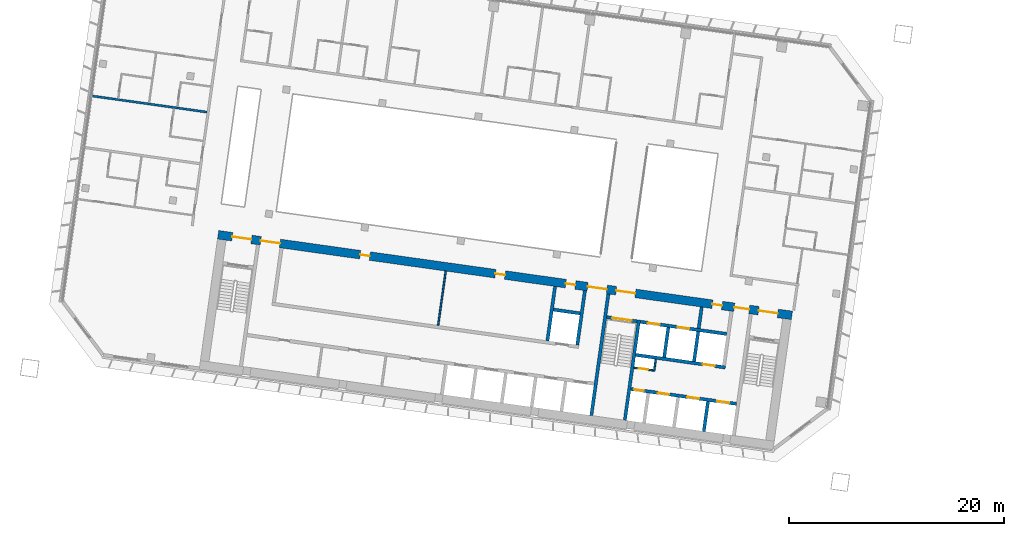
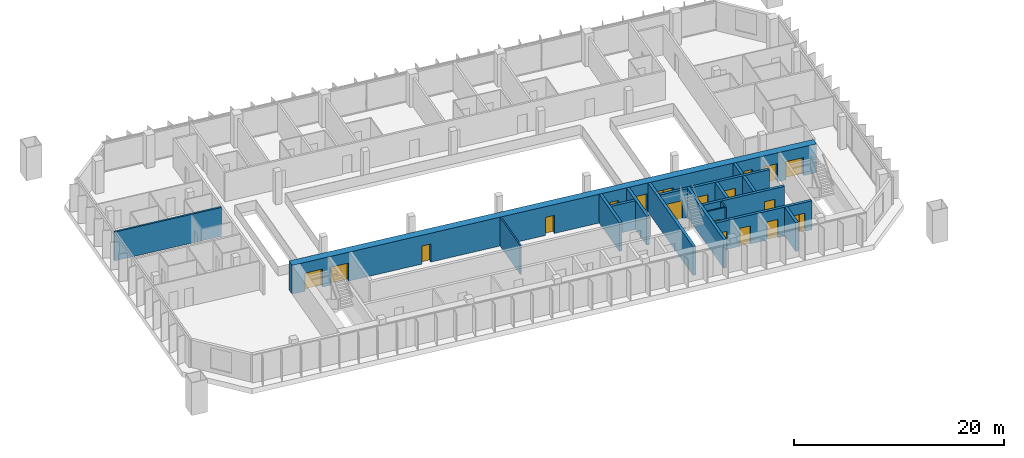
# One storey, part 15 of 26: 19 doors, 18 walls, 19 openings.
"""IFC4 building model written with IfcOpenShell, lengths in metres."""

from ifc_helpers import new_model, si_unit, direction, frame, frame_2d, origin, place, context, subcontext, project, spatial, rectangle, extrude, material, layer, layer_set, type_object, element, fill, save


model = new_model("IFC4")

# Units and contexts
model_context = context("Model", 3, precision=1e-05, world=origin(), true_north=direction((0.0, 1.0)))
body_context = subcontext(model_context, "Body", "Model", "MODEL_VIEW")
ifc_project = project(units=[si_unit("LENGTHUNIT", "METRE"), si_unit("AREAUNIT", "SQUARE_METRE"), si_unit("VOLUMEUNIT", "CUBIC_METRE"), si_unit("PLANEANGLEUNIT", "RADIAN"), si_unit("MASSUNIT", "GRAM", prefix="KILO")], contexts=[model_context])

# Site, building, storey
site_placement = place(None, origin())
site = spatial("IfcSite", under=ifc_project, at=site_placement, CompositionType="ELEMENT")
building_placement = place(site_placement, origin())
building = spatial("IfcBuilding", under=site, at=building_placement, Name="Mirante Cascada Hotel Towers", CompositionType="ELEMENT")
storey_placement = place(building_placement, frame((0.0, 0.0, 113.9)))
storey = spatial("IfcBuildingStorey", under=building, at=storey_placement, Name="L25", CompositionType="ELEMENT", Elevation=113.9)

# Walls
ifc_material_1 = material(Name="Fire-rated plasterboard on metal studs")
ifc_layer_1 = layer(ifc_material_1, 0.2)
ifc_layer_set_1 = layer_set([ifc_layer_1], Name="Compartment wall 200 EI 120")
wall_type_1 = type_object("IfcWallType", Name="Compartment wall 200 EI 120", PredefinedType="PARTITIONING", material=ifc_layer_set_1)
wall_1_placement = place(storey_placement, frame((-89.7337, 11.2758, 0.0), z_axis=(0.0, 0.0, 1.0), x_axis=(-0.990268, 0.1391733, 0.0)))
element("IfcWall", 1, at=wall_1_placement, inside=storey, type_object=wall_type_1, Name="Wall 1-L25-10", PredefinedType="PARTITIONING", context=body_context, shape_type="SweptSolid", body=[
    extrude(rectangle(XDim=11.0, YDim=0.2, at=frame_2d((5.5, 0.0))), origin(), (0.0, 0.0, 1.0), 3.35),
])
ifc_material_2 = material(Name="Masonry block", Category="masonry")
ifc_layer_2 = layer(ifc_material_2, 0.15)
ifc_layer_set_2 = layer_set([ifc_layer_2], Name="Core room partition 150 block EI 30")
wall_type_2 = type_object("IfcWallType", Name="Core room partition 150 block EI 30", PredefinedType="PARTITIONING", material=ifc_layer_set_2)
wall_2_placement = place(storey_placement, frame((-48.2295, -12.793, 0.0), z_axis=(0.0, 0.0, 1.0), x_axis=(0.1391935, 0.9902652, 0.0)))
element("IfcWall", 2, at=wall_2_placement, inside=storey, type_object=wall_type_2, Name="Core wall partition T1 L25 2", PredefinedType="PARTITIONING", context=body_context, shape_type="SweptSolid", body=[
    extrude(rectangle(XDim=1.1251, YDim=0.15, at=frame_2d((0.5626, 0.0))), origin(), (0.0, 0.0, 1.0), 3.35),
])

# Wall, opening, door
wall_3_placement = place(storey_placement, frame((-48.2933, -12.7083, 0.0), z_axis=(0.0, 0.0, 1.0), x_axis=(-0.990268, 0.1391734, 0.0)))
wall_3 = element("IfcWall", 3, at=wall_3_placement, inside=storey, type_object=wall_type_2, Name="Core wall partition T1 L25 3", PredefinedType="PARTITIONING", context=body_context, shape_type="SweptSolid", body=[
    extrude(rectangle(XDim=1.8251, YDim=0.15, at=frame_2d((0.9126, 0.0))), origin(), (0.0, 0.0, 1.0), 3.35),
])
opening_1_placement = place(wall_3_placement, frame((0.4625, 0.0, 0.0)))
opening_1 = element("IfcOpeningElement", 4, at=opening_1_placement, cuts=wall_3, Name="Opening D1-25-C23", PredefinedType="OPENING", context=body_context, shape_type="SweptSolid", body=[
    extrude(rectangle(XDim=0.9, YDim=2.1, at=frame_2d((0.45, 1.05))), frame((0.0, 0.075, 0.0), z_axis=(0.0, -1.0, 0.0), x_axis=(1.0, 0.0, 0.0)), (0.0, 0.0, 1.0), 0.15),
])
ifc_material_3 = material(Name="Hollow metal fire door leaf")
door_type_1 = type_object("IfcDoorType", Name="Fire door 900x2100 FD60", OperationType="NOTDEFINED", PredefinedType="DOOR", material=ifc_material_3)
door_1_placement = place(opening_1_placement, origin())
door_1 = element("IfcDoor", 5, at=door_1_placement, inside=storey, type_object=door_type_1, Name="Riser door T1 L25 23", OperationType="SINGLE_SWING_LEFT", OverallHeight=2.1, OverallWidth=0.9, PredefinedType="DOOR", context=body_context, shape_type="SweptSolid", body=[
    extrude(rectangle(XDim=0.9, YDim=2.1, at=frame_2d((0.45, 1.05))), frame((0.0, 0.025, 0.0), z_axis=(0.0, -1.0, 0.0), x_axis=(1.0, 0.0, 0.0)), (0.0, 0.0, 1.0), 0.05),
])
fill(opening_1, door_1)

# Walls
wall_4_placement = place(storey_placement, frame((-68.2822, -8.5358, 0.0), z_axis=(0.0, 0.0, 1.0), x_axis=(0.1391755, 0.9902677, 0.0)))
element("IfcWall", 6, at=wall_4_placement, inside=storey, type_object=wall_type_2, Name="Core wall partition T1 L25 6", PredefinedType="PARTITIONING", context=body_context, shape_type="SweptSolid", body=[
    extrude(rectangle(XDim=5.1, YDim=0.15, at=frame_2d((2.55, 0.0))), origin(), (0.0, 0.0, 1.0), 3.35),
])
ifc_material_4 = material(Name="Masonry block", Category="masonry")
ifc_layer_3 = layer(ifc_material_4, 0.3)
ifc_layer_set_3 = layer_set([ifc_layer_3], Name="Core wall 300 block EI 120")
wall_type_3 = type_object("IfcWallType", Name="Core wall 300 block EI 120", PredefinedType="PARTITIONING", material=ifc_layer_set_3)
wall_5_placement = place(storey_placement, frame((-44.0843, -8.8061, 0.0), z_axis=(0.0, 0.0, 1.0), x_axis=(0.1391951, 0.990265, 0.0)))
element("IfcWall", 7, at=wall_5_placement, inside=storey, type_object=wall_type_3, Name="Core wall partition T1 L25 1", PredefinedType="PARTITIONING", context=body_context, shape_type="SweptSolid", body=[
    extrude(rectangle(XDim=2.0001, YDim=0.3, at=frame_2d((1.0001, 0.0))), origin(), (0.0, 0.0, 1.0), 3.35),
])
ifc_material_5 = material(Name="Concrete C50/60", Category="concrete")
ifc_layer_4 = layer(ifc_material_5, 0.3)
ifc_layer_set_4 = layer_set([ifc_layer_4], Name="RC core wall 300 C50/60")
wall_type_4 = type_object("IfcWallType", Name="RC core wall 300 C50/60", PredefinedType="SHEAR", material=ifc_layer_set_4)
wall_6_placement = place(storey_placement, frame((-50.938, -17.3352, 0.0), z_axis=(0.0, 0.0, 1.0), x_axis=(0.1391706, 0.9902684, 0.0)))
element("IfcWall", 8, at=wall_6_placement, inside=storey, type_object=wall_type_4, Name="Core wall T1:L25:6", PredefinedType="SHEAR", context=body_context, shape_type="SweptSolid", body=[
    extrude(rectangle(XDim=9.4, YDim=0.3, at=frame_2d((4.7, 0.0))), origin(), (0.0, 0.0, 1.0), 3.35),
])
wall_7_placement = place(storey_placement, frame((-54.0574, -16.8968, 0.0), z_axis=(0.0, 0.0, 1.0), x_axis=(0.1391761, 0.9902677, 0.0)))
element("IfcWall", 9, at=wall_7_placement, inside=storey, type_object=wall_type_4, Name="Core wall T1:L25:7", PredefinedType="SHEAR", context=body_context, shape_type="SweptSolid", body=[
    extrude(rectangle(XDim=11.3999, YDim=0.3, at=frame_2d((5.7, 0.0))), origin(), (0.0, 0.0, 1.0), 3.35),
])

# Wall, opening, door
wall_8_placement = place(storey_placement, frame((-49.7992, -8.1544, 0.0), z_axis=(0.0, 0.0, 1.0), x_axis=(-0.9902656, 0.1391909, 0.0)))
wall_8 = element("IfcWall", 10, at=wall_8_placement, inside=storey, type_object=wall_type_4, Name="Core wall T1:L25:10", PredefinedType="SHEAR", context=body_context, shape_type="SweptSolid", body=[
    extrude(rectangle(XDim=2.85, YDim=0.3, at=frame_2d((1.425, 0.0))), origin(), (0.0, 0.0, 1.0), 3.35),
])
opening_2_placement = place(wall_8_placement, frame((0.525, 0.0, 0.0)))
opening_2 = element("IfcOpeningElement", 11, at=opening_2_placement, cuts=wall_8, Name="Opening D1-25-C15", PredefinedType="OPENING", context=body_context, shape_type="SweptSolid", body=[
    extrude(rectangle(XDim=1.8, YDim=2.1, at=frame_2d((0.9, 1.05))), frame((0.0, 0.15, 0.0), z_axis=(0.0, -1.0, 0.0), x_axis=(1.0, 0.0, 0.0)), (0.0, 0.0, 1.0), 0.3),
])
ifc_material_6 = material(Name="Hollow metal fire door leaf")
door_type_2 = type_object("IfcDoorType", Name="Double fire door 1800x2100 FD60", OperationType="DOUBLE_DOOR_SINGLE_SWING", PredefinedType="DOOR", material=ifc_material_6)
door_2_placement = place(opening_2_placement, origin())
door_2 = element("IfcDoor", 12, at=door_2_placement, inside=storey, type_object=door_type_2, Name="Stair door T1 L25 15", OperationType="DOUBLE_DOOR_SINGLE_SWING", OverallHeight=2.1, OverallWidth=1.8, PredefinedType="DOOR", context=body_context, shape_type="SweptSolid", body=[
    extrude(rectangle(XDim=0.895, YDim=2.1, at=frame_2d((0.4475, 1.05))), frame((0.0, 0.025, 0.0), z_axis=(0.0, -1.0, 0.0), x_axis=(1.0, 0.0, 0.0)), (0.0, 0.0, 1.0), 0.05),
    extrude(rectangle(XDim=0.895, YDim=2.1, at=frame_2d((1.3525, 1.05))), frame((0.0, 0.025, 0.0), z_axis=(0.0, -1.0, 0.0), x_axis=(1.0, 0.0, 0.0)), (0.0, 0.0, 1.0), 0.05),
])
fill(opening_2, door_2)

# Wall, openings, doors
wall_9_placement = place(storey_placement, frame((-40.5753, -15.8126, 0.0), z_axis=(0.0, 0.0, 1.0), x_axis=(-0.9902682, 0.1391725, 0.0)))
wall_9 = element("IfcWall", 13, at=wall_9_placement, inside=storey, type_object=wall_type_4, Name="Core wall T1:L25:12", PredefinedType="SHEAR", context=body_context, shape_type="SweptSolid", body=[
    extrude(rectangle(XDim=9.8999, YDim=0.3, at=frame_2d((4.95, 0.0))), origin(), (0.0, 0.0, 1.0), 3.35),
])
opening_3_placement = place(wall_9_placement, frame((0.7, 0.0, 0.0)))
opening_3 = element("IfcOpeningElement", 14, at=opening_3_placement, cuts=wall_9, Name="Opening LD", PredefinedType="OPENING", context=body_context, shape_type="SweptSolid", body=[
    extrude(rectangle(XDim=1.1, YDim=2.1, at=frame_2d((0.55, 1.05))), frame((0.0, 0.15, 0.0), z_axis=(0.0, -1.0, 0.0), x_axis=(1.0, 0.0, 0.0)), (0.0, 0.0, 1.0), 0.3),
])
opening_4_placement = place(wall_9_placement, frame((3.5, 0.0, 0.0)))
opening_4 = element("IfcOpeningElement", 15, at=opening_4_placement, cuts=wall_9, Name="Opening LD", PredefinedType="OPENING", context=body_context, shape_type="SweptSolid", body=[
    extrude(rectangle(XDim=1.1, YDim=2.1, at=frame_2d((0.55, 1.05))), frame((0.0, 0.15, 0.0), z_axis=(0.0, -1.0, 0.0), x_axis=(1.0, 0.0, 0.0)), (0.0, 0.0, 1.0), 0.3),
])
opening_5_placement = place(wall_9_placement, frame((6.3, 0.0, 0.0)))
opening_5 = element("IfcOpeningElement", 16, at=opening_5_placement, cuts=wall_9, Name="Opening LD", PredefinedType="OPENING", context=body_context, shape_type="SweptSolid", body=[
    extrude(rectangle(XDim=1.1, YDim=2.1, at=frame_2d((0.55, 1.05))), frame((0.0, 0.15, 0.0), z_axis=(0.0, -1.0, 0.0), x_axis=(1.0, 0.0, 0.0)), (0.0, 0.0, 1.0), 0.3),
])
opening_6_placement = place(wall_9_placement, frame((8.7, 0.0, 0.0)))
opening_6 = element("IfcOpeningElement", 17, at=opening_6_placement, cuts=wall_9, Name="Opening D1-25-C22", PredefinedType="OPENING", context=body_context, shape_type="SweptSolid", body=[
    extrude(rectangle(XDim=0.9, YDim=2.1, at=frame_2d((0.45, 1.05))), frame((0.0, 0.15, 0.0), z_axis=(0.0, -1.0, 0.0), x_axis=(1.0, 0.0, 0.0)), (0.0, 0.0, 1.0), 0.3),
])
door_3_placement = place(opening_6_placement, origin())
door_3 = element("IfcDoor", 18, at=door_3_placement, inside=storey, type_object=door_type_1, Name="Riser door T1 L25 22", OperationType="SINGLE_SWING_LEFT", OverallHeight=2.1, OverallWidth=0.9, PredefinedType="DOOR", context=body_context, shape_type="SweptSolid", body=[
    extrude(rectangle(XDim=0.9, YDim=2.1, at=frame_2d((0.45, 1.05))), frame((0.0, 0.025, 0.0), z_axis=(0.0, -1.0, 0.0), x_axis=(1.0, 0.0, 0.0)), (0.0, 0.0, 1.0), 0.05),
])
fill(opening_6, door_3)
ifc_material_7 = material(Name="Stainless steel", Category="steel")
door_type_3 = type_object("IfcDoorType", Name="Lift landing door 1100x2100 EI 120", OperationType="DOUBLE_DOOR_SLIDING", PredefinedType="DOOR", material=ifc_material_7)
door_4_placement = place(opening_3_placement, origin())
door_4 = element("IfcDoor", 19, at=door_4_placement, inside=storey, type_object=door_type_3, Name="Lift landing door HR1-1 L25", OperationType="DOUBLE_DOOR_SLIDING", OverallHeight=2.1, OverallWidth=1.1, PredefinedType="DOOR", context=body_context, shape_type="SweptSolid", body=[
    extrude(rectangle(XDim=0.545, YDim=2.1, at=frame_2d((0.2725, 1.05))), frame((0.0, 0.025, 0.0), z_axis=(0.0, -1.0, 0.0), x_axis=(1.0, 0.0, 0.0)), (0.0, 0.0, 1.0), 0.05),
    extrude(rectangle(XDim=0.545, YDim=2.1, at=frame_2d((0.8275, 1.05))), frame((0.0, 0.025, 0.0), z_axis=(0.0, -1.0, 0.0), x_axis=(1.0, 0.0, 0.0)), (0.0, 0.0, 1.0), 0.05),
])
fill(opening_3, door_4)
door_5_placement = place(opening_4_placement, origin())
door_5 = element("IfcDoor", 20, at=door_5_placement, inside=storey, type_object=door_type_3, Name="Lift landing door HR1-2 L25", OperationType="DOUBLE_DOOR_SLIDING", OverallHeight=2.1, OverallWidth=1.1, PredefinedType="DOOR", context=body_context, shape_type="SweptSolid", body=[
    extrude(rectangle(XDim=0.545, YDim=2.1, at=frame_2d((0.2725, 1.05))), frame((0.0, 0.025, 0.0), z_axis=(0.0, -1.0, 0.0), x_axis=(1.0, 0.0, 0.0)), (0.0, 0.0, 1.0), 0.05),
    extrude(rectangle(XDim=0.545, YDim=2.1, at=frame_2d((0.8275, 1.05))), frame((0.0, 0.025, 0.0), z_axis=(0.0, -1.0, 0.0), x_axis=(1.0, 0.0, 0.0)), (0.0, 0.0, 1.0), 0.05),
])
fill(opening_4, door_5)
door_6_placement = place(opening_5_placement, origin())
door_6 = element("IfcDoor", 21, at=door_6_placement, inside=storey, type_object=door_type_3, Name="Lift landing door HR1-3 L25", OperationType="DOUBLE_DOOR_SLIDING", OverallHeight=2.1, OverallWidth=1.1, PredefinedType="DOOR", context=body_context, shape_type="SweptSolid", body=[
    extrude(rectangle(XDim=0.545, YDim=2.1, at=frame_2d((0.2725, 1.05))), frame((0.0, 0.025, 0.0), z_axis=(0.0, -1.0, 0.0), x_axis=(1.0, 0.0, 0.0)), (0.0, 0.0, 1.0), 0.05),
    extrude(rectangle(XDim=0.545, YDim=2.1, at=frame_2d((0.8275, 1.05))), frame((0.0, 0.025, 0.0), z_axis=(0.0, -1.0, 0.0), x_axis=(1.0, 0.0, 0.0)), (0.0, 0.0, 1.0), 0.05),
])
fill(opening_5, door_6)

# Wall, opening, door
wall_10_placement = place(storey_placement, frame((-41.6153, -12.435, 0.0), z_axis=(0.0, 0.0, 1.0), x_axis=(-0.9902691, 0.139166, 0.0)))
wall_10 = element("IfcWall", 22, at=wall_10_placement, inside=storey, type_object=wall_type_4, Name="Core wall T1:L25:13", PredefinedType="SHEAR", context=body_context, shape_type="SweptSolid", body=[
    extrude(rectangle(XDim=8.4, YDim=0.3, at=frame_2d((4.2, 0.0))), origin(), (0.0, 0.0, 1.0), 3.35),
])
opening_7_placement = place(wall_10_placement, frame((1.0, 0.0, 0.0)))
opening_7 = element("IfcOpeningElement", 23, at=opening_7_placement, cuts=wall_10, Name="Opening LD", PredefinedType="OPENING", context=body_context, shape_type="SweptSolid", body=[
    extrude(rectangle(XDim=1.1, YDim=2.1, at=frame_2d((0.55, 1.05))), frame((0.0, 0.15, 0.0), z_axis=(0.0, -1.0, 0.0), x_axis=(1.0, 0.0, 0.0)), (0.0, 0.0, 1.0), 0.3),
])
door_7_placement = place(opening_7_placement, origin())
door_7 = element("IfcDoor", 24, at=door_7_placement, inside=storey, type_object=door_type_3, Name="Lift landing door HR1-4 L25", OperationType="DOUBLE_DOOR_SLIDING", OverallHeight=2.1, OverallWidth=1.1, PredefinedType="DOOR", context=body_context, shape_type="SweptSolid", body=[
    extrude(rectangle(XDim=0.545, YDim=2.1, at=frame_2d((0.2725, 1.05))), frame((0.0, 0.025, 0.0), z_axis=(0.0, -1.0, 0.0), x_axis=(1.0, 0.0, 0.0)), (0.0, 0.0, 1.0), 0.05),
    extrude(rectangle(XDim=0.545, YDim=2.1, at=frame_2d((0.8275, 1.05))), frame((0.0, 0.025, 0.0), z_axis=(0.0, -1.0, 0.0), x_axis=(1.0, 0.0, 0.0)), (0.0, 0.0, 1.0), 0.05),
])
fill(opening_7, door_7)

# Wall, openings, doors
wall_11_placement = place(storey_placement, frame((-41.481, -9.3234, 0.0), z_axis=(0.0, 0.0, 1.0), x_axis=(-0.9902679, 0.1391741, 0.0)))
wall_11 = element("IfcWall", 25, at=wall_11_placement, inside=storey, type_object=wall_type_4, Name="Core wall T1:L25:14", PredefinedType="SHEAR", context=body_context, shape_type="SweptSolid", body=[
    extrude(rectangle(XDim=8.0999, YDim=0.3, at=frame_2d((4.05, 0.0))), origin(), (0.0, 0.0, 1.0), 3.35),
])
opening_8_placement = place(wall_11_placement, frame((3.5, 0.0, 0.0)))
opening_8 = element("IfcOpeningElement", 26, at=opening_8_placement, cuts=wall_11, Name="Opening LD", PredefinedType="OPENING", context=body_context, shape_type="SweptSolid", body=[
    extrude(rectangle(XDim=1.1, YDim=2.1, at=frame_2d((0.55, 1.05))), frame((0.0, 0.15, 0.0), z_axis=(0.0, -1.0, 0.0), x_axis=(1.0, 0.0, 0.0)), (0.0, 0.0, 1.0), 0.3),
])
opening_9_placement = place(wall_11_placement, frame((6.3, 0.0, 0.0)))
opening_9 = element("IfcOpeningElement", 27, at=opening_9_placement, cuts=wall_11, Name="Opening LD", PredefinedType="OPENING", context=body_context, shape_type="SweptSolid", body=[
    extrude(rectangle(XDim=1.1, YDim=2.1, at=frame_2d((0.55, 1.05))), frame((0.0, 0.15, 0.0), z_axis=(0.0, -1.0, 0.0), x_axis=(1.0, 0.0, 0.0)), (0.0, 0.0, 1.0), 0.3),
])
door_8_placement = place(opening_8_placement, origin())
door_8 = element("IfcDoor", 28, at=door_8_placement, inside=storey, type_object=door_type_3, Name="Lift landing door FF1 L25", OperationType="DOUBLE_DOOR_SLIDING", OverallHeight=2.1, OverallWidth=1.1, PredefinedType="DOOR", context=body_context, shape_type="SweptSolid", body=[
    extrude(rectangle(XDim=0.545, YDim=2.1, at=frame_2d((0.2725, 1.05))), frame((0.0, 0.025, 0.0), z_axis=(0.0, -1.0, 0.0), x_axis=(1.0, 0.0, 0.0)), (0.0, 0.0, 1.0), 0.05),
    extrude(rectangle(XDim=0.545, YDim=2.1, at=frame_2d((0.8275, 1.05))), frame((0.0, 0.025, 0.0), z_axis=(0.0, -1.0, 0.0), x_axis=(1.0, 0.0, 0.0)), (0.0, 0.0, 1.0), 0.05),
])
fill(opening_8, door_8)
door_9_placement = place(opening_9_placement, origin())
door_9 = element("IfcDoor", 29, at=door_9_placement, inside=storey, type_object=door_type_3, Name="Lift landing door FF2 L25", OperationType="DOUBLE_DOOR_SLIDING", OverallHeight=2.1, OverallWidth=1.1, PredefinedType="DOOR", context=body_context, shape_type="SweptSolid", body=[
    extrude(rectangle(XDim=0.545, YDim=2.1, at=frame_2d((0.2725, 1.05))), frame((0.0, 0.025, 0.0), z_axis=(0.0, -1.0, 0.0), x_axis=(1.0, 0.0, 0.0)), (0.0, 0.0, 1.0), 0.05),
    extrude(rectangle(XDim=0.545, YDim=2.1, at=frame_2d((0.8275, 1.05))), frame((0.0, 0.025, 0.0), z_axis=(0.0, -1.0, 0.0), x_axis=(1.0, 0.0, 0.0)), (0.0, 0.0, 1.0), 0.05),
])
fill(opening_9, door_9)

# Walls
wall_12_placement = place(storey_placement, frame((-43.61, -18.3651, 0.0), z_axis=(0.0, 0.0, 1.0), x_axis=(0.1391459, 0.9902719, 0.0)))
element("IfcWall", 30, at=wall_12_placement, inside=storey, type_object=wall_type_4, Name="Core wall T1:L25:15", PredefinedType="SHEAR", context=body_context, shape_type="SweptSolid", body=[
    extrude(rectangle(XDim=2.7999, YDim=0.3, at=frame_2d((1.4, 0.0))), origin(), (0.0, 0.0, 1.0), 3.35),
])
for number, where, z_axis, x_axis, name in (
    (31, (-44.5157, -11.8759, 0.0), (0.0, 0.0, 1.0), (0.139181, 0.990267, 0.0), "Core wall T1:L25:18"),
    (32, (-47.2885, -11.4862, 0.0), (0.0, 0.0, 1.0), (0.139181, 0.990267, 0.0), "Core wall T1:L25:19"),
):
    element("IfcWall", number, at=place(storey_placement, frame(where, z_axis=z_axis, x_axis=x_axis)), inside=storey, type_object=wall_type_4, Name=name, PredefinedType="SHEAR", context=body_context, shape_type="SweptSolid", body=[
        extrude(rectangle(XDim=2.8, YDim=0.3, at=frame_2d((1.4, 0.0))), origin(), (0.0, 0.0, 1.0), 3.35),
    ])
for number, where, z_axis, x_axis, name in (
    (33, (-55.3592, -10.352, 0.0), (0.0, 0.0, 1.0), (0.1391755, 0.9902677, 0.0), "Core wall T1:L25:33"),
    (34, (-58.1319, -9.9623, 0.0), (0.0, 0.0, 1.0), (0.1391755, 0.9902677, 0.0), "Core wall T1:L25:35"),
):
    element("IfcWall", number, at=place(storey_placement, frame(where, z_axis=z_axis, x_axis=x_axis)), inside=storey, type_object=wall_type_4, Name=name, PredefinedType="SHEAR", context=body_context, shape_type="SweptSolid", body=[
        extrude(rectangle(XDim=5.1, YDim=0.3, at=frame_2d((2.55, 0.0))), origin(), (0.0, 0.0, 1.0), 3.35),
    ])
wall_13_placement = place(storey_placement, frame((-55.0971, -7.4098, 0.0), z_axis=(0.0, 0.0, 1.0), x_axis=(-0.9902701, 0.1391586, 0.0)))
element("IfcWall", 35, at=wall_13_placement, inside=storey, type_object=wall_type_4, Name="Core wall T1:L25:36", PredefinedType="SHEAR", context=body_context, shape_type="SweptSolid", body=[
    extrude(rectangle(XDim=2.5, YDim=0.3, at=frame_2d((1.25, 0.0))), origin(), (0.0, 0.0, 1.0), 3.35),
])

# Wall, openings, doors
ifc_material_8 = material(Name="Concrete C50/60", Category="concrete")
ifc_layer_5 = layer(ifc_material_8, 0.8)
ifc_layer_set_5 = layer_set([ifc_layer_5], Name="RC core wall 800 C50/60")
wall_type_5 = type_object("IfcWallType", Name="RC core wall 800 C50/60", PredefinedType="SHEAR", material=ifc_layer_set_5)
wall_14_placement = place(storey_placement, frame((-35.432, -7.5985, 0.0), z_axis=(0.0, 0.0, 1.0), x_axis=(-0.9902681, 0.1391729, 0.0)))
wall_14 = element("IfcWall", 36, at=wall_14_placement, inside=storey, type_object=wall_type_5, Name="Core wall T1:L25:2", PredefinedType="SHEAR", context=body_context, shape_type="SweptSolid", body=[
    extrude(rectangle(XDim=53.8, YDim=0.8, at=frame_2d((26.9, 0.0))), origin(), (0.0, 0.0, 1.0), 3.35),
])
opening_10_placement = place(wall_14_placement, frame((1.325, 0.0, 0.0)))
opening_10 = element("IfcOpeningElement", 37, at=opening_10_placement, cuts=wall_14, Name="Opening D1-25-C14", PredefinedType="OPENING", context=body_context, shape_type="SweptSolid", body=[
    extrude(rectangle(XDim=1.8, YDim=2.1, at=frame_2d((0.9, 1.05))), frame((0.0, 0.4, 0.0), z_axis=(0.0, -1.0, 0.0), x_axis=(1.0, 0.0, 0.0)), (0.0, 0.0, 1.0), 0.8),
])
opening_11_placement = place(wall_14_placement, frame((14.675, 0.0, 0.0)))
opening_11 = element("IfcOpeningElement", 38, at=opening_11_placement, cuts=wall_14, Name="Opening D1-25-C16", PredefinedType="OPENING", context=body_context, shape_type="SweptSolid", body=[
    extrude(rectangle(XDim=1.8, YDim=2.1, at=frame_2d((0.9, 1.05))), frame((0.0, 0.4, 0.0), z_axis=(0.0, -1.0, 0.0), x_axis=(1.0, 0.0, 0.0)), (0.0, 0.0, 1.0), 0.8),
])
opening_12_placement = place(wall_14_placement, frame((50.675, 0.0, 0.0)))
opening_12 = element("IfcOpeningElement", 39, at=opening_12_placement, cuts=wall_14, Name="Opening D1-25-C18", PredefinedType="OPENING", context=body_context, shape_type="SweptSolid", body=[
    extrude(rectangle(XDim=1.8, YDim=2.1, at=frame_2d((0.9, 1.05))), frame((0.0, 0.4, 0.0), z_axis=(0.0, -1.0, 0.0), x_axis=(1.0, 0.0, 0.0)), (0.0, 0.0, 1.0), 0.8),
])
opening_13_placement = place(wall_14_placement, frame((4.0, 0.0, 0.0)))
opening_13 = element("IfcOpeningElement", 40, at=opening_13_placement, cuts=wall_14, Name="Opening D1-25-C19", PredefinedType="OPENING", context=body_context, shape_type="SweptSolid", body=[
    extrude(rectangle(XDim=1.4, YDim=2.1, at=frame_2d((0.7, 1.05))), frame((0.0, 0.4, 0.0), z_axis=(0.0, -1.0, 0.0), x_axis=(1.0, 0.0, 0.0)), (0.0, 0.0, 1.0), 0.8),
])
opening_14_placement = place(wall_14_placement, frame((17.35, 0.0, 0.0)))
opening_14 = element("IfcOpeningElement", 41, at=opening_14_placement, cuts=wall_14, Name="Opening D1-25-C20", PredefinedType="OPENING", context=body_context, shape_type="SweptSolid", body=[
    extrude(rectangle(XDim=1.8, YDim=2.1, at=frame_2d((0.9, 1.05))), frame((0.0, 0.4, 0.0), z_axis=(0.0, -1.0, 0.0), x_axis=(1.0, 0.0, 0.0)), (0.0, 0.0, 1.0), 0.8),
])
opening_15_placement = place(wall_14_placement, frame((48.0, 0.0, 0.0)))
opening_15 = element("IfcOpeningElement", 42, at=opening_15_placement, cuts=wall_14, Name="Opening D1-25-C21", PredefinedType="OPENING", context=body_context, shape_type="SweptSolid", body=[
    extrude(rectangle(XDim=1.8, YDim=2.1, at=frame_2d((0.9, 1.05))), frame((0.0, 0.4, 0.0), z_axis=(0.0, -1.0, 0.0), x_axis=(1.0, 0.0, 0.0)), (0.0, 0.0, 1.0), 0.8),
])
opening_16_placement = place(wall_14_placement, frame((6.55, 0.0, 0.0)))
opening_16 = element("IfcOpeningElement", 43, at=opening_16_placement, cuts=wall_14, Name="Opening D1-25-C24", PredefinedType="OPENING", context=body_context, shape_type="SweptSolid", body=[
    extrude(rectangle(XDim=0.9, YDim=2.1, at=frame_2d((0.45, 1.05))), frame((0.0, 0.4, 0.0), z_axis=(0.0, -1.0, 0.0), x_axis=(1.0, 0.0, 0.0)), (0.0, 0.0, 1.0), 0.8),
])
opening_17_placement = place(wall_14_placement, frame((20.3, 0.0, 0.0)))
opening_17 = element("IfcOpeningElement", 44, at=opening_17_placement, cuts=wall_14, Name="Opening D1-25-C28", PredefinedType="OPENING", context=body_context, shape_type="SweptSolid", body=[
    extrude(rectangle(XDim=0.9, YDim=2.1, at=frame_2d((0.45, 1.05))), frame((0.0, 0.4, 0.0), z_axis=(0.0, -1.0, 0.0), x_axis=(1.0, 0.0, 0.0)), (0.0, 0.0, 1.0), 0.8),
])
opening_18_placement = place(wall_14_placement, frame((26.9, 0.0, 0.0)))
opening_18 = element("IfcOpeningElement", 45, at=opening_18_placement, cuts=wall_14, Name="Opening D1-25-C29", PredefinedType="OPENING", context=body_context, shape_type="SweptSolid", body=[
    extrude(rectangle(XDim=0.9, YDim=2.1, at=frame_2d((0.45, 1.05))), frame((0.0, 0.4, 0.0), z_axis=(0.0, -1.0, 0.0), x_axis=(1.0, 0.0, 0.0)), (0.0, 0.0, 1.0), 0.8),
])
opening_19_placement = place(wall_14_placement, frame((39.575, 0.0, 0.0)))
opening_19 = element("IfcOpeningElement", 46, at=opening_19_placement, cuts=wall_14, Name="Opening D1-25-C30", PredefinedType="OPENING", context=body_context, shape_type="SweptSolid", body=[
    extrude(rectangle(XDim=0.9, YDim=2.1, at=frame_2d((0.45, 1.05))), frame((0.0, 0.4, 0.0), z_axis=(0.0, -1.0, 0.0), x_axis=(1.0, 0.0, 0.0)), (0.0, 0.0, 1.0), 0.8),
])
ifc_material_9 = material(Name="Hollow metal fire door leaf")
door_type_4 = type_object("IfcDoorType", Name="Double fire door 1400x2100 FD60", OperationType="DOUBLE_DOOR_SINGLE_SWING", PredefinedType="DOOR", material=ifc_material_9)
door_10_placement = place(opening_13_placement, frame((1.4, 0.0, 0.0), z_axis=(0.0, 0.0, 1.0), x_axis=(-1.0, 0.0, 0.0)))
door_10 = element("IfcDoor", 47, at=door_10_placement, inside=storey, type_object=door_type_4, Name="Exit door to gallery T1 L25 19", OperationType="DOUBLE_DOOR_SINGLE_SWING", OverallHeight=2.1, OverallWidth=1.4, PredefinedType="DOOR", context=body_context, shape_type="SweptSolid", body=[
    extrude(rectangle(XDim=0.695, YDim=2.1, at=frame_2d((0.3475, 1.05))), frame((0.0, 0.025, 0.0), z_axis=(0.0, -1.0, 0.0), x_axis=(1.0, 0.0, 0.0)), (0.0, 0.0, 1.0), 0.05),
    extrude(rectangle(XDim=0.695, YDim=2.1, at=frame_2d((1.0525, 1.05))), frame((0.0, 0.025, 0.0), z_axis=(0.0, -1.0, 0.0), x_axis=(1.0, 0.0, 0.0)), (0.0, 0.0, 1.0), 0.05),
])
fill(opening_13, door_10)
door_11_placement = place(opening_10_placement, origin())
door_11 = element("IfcDoor", 48, at=door_11_placement, inside=storey, type_object=door_type_2, Name="Exit door to gallery T1 L25 14", OperationType="DOUBLE_DOOR_SINGLE_SWING", OverallHeight=2.1, OverallWidth=1.8, PredefinedType="DOOR", context=body_context, shape_type="SweptSolid", body=[
    extrude(rectangle(XDim=0.895, YDim=2.1, at=frame_2d((0.4475, 1.05))), frame((0.0, 0.025, 0.0), z_axis=(0.0, -1.0, 0.0), x_axis=(1.0, 0.0, 0.0)), (0.0, 0.0, 1.0), 0.05),
    extrude(rectangle(XDim=0.895, YDim=2.1, at=frame_2d((1.3525, 1.05))), frame((0.0, 0.025, 0.0), z_axis=(0.0, -1.0, 0.0), x_axis=(1.0, 0.0, 0.0)), (0.0, 0.0, 1.0), 0.05),
])
fill(opening_10, door_11)
door_12_placement = place(opening_11_placement, origin())
door_12 = element("IfcDoor", 49, at=door_12_placement, inside=storey, type_object=door_type_2, Name="Exit door to gallery T1 L25 16", OperationType="DOUBLE_DOOR_SINGLE_SWING", OverallHeight=2.1, OverallWidth=1.8, PredefinedType="DOOR", context=body_context, shape_type="SweptSolid", body=[
    extrude(rectangle(XDim=0.895, YDim=2.1, at=frame_2d((0.4475, 1.05))), frame((0.0, 0.025, 0.0), z_axis=(0.0, -1.0, 0.0), x_axis=(1.0, 0.0, 0.0)), (0.0, 0.0, 1.0), 0.05),
    extrude(rectangle(XDim=0.895, YDim=2.1, at=frame_2d((1.3525, 1.05))), frame((0.0, 0.025, 0.0), z_axis=(0.0, -1.0, 0.0), x_axis=(1.0, 0.0, 0.0)), (0.0, 0.0, 1.0), 0.05),
])
fill(opening_11, door_12)
door_13_placement = place(opening_12_placement, origin())
door_13 = element("IfcDoor", 50, at=door_13_placement, inside=storey, type_object=door_type_2, Name="Exit door to gallery T1 L25 18", OperationType="DOUBLE_DOOR_SINGLE_SWING", OverallHeight=2.1, OverallWidth=1.8, PredefinedType="DOOR", context=body_context, shape_type="SweptSolid", body=[
    extrude(rectangle(XDim=0.895, YDim=2.1, at=frame_2d((0.4475, 1.05))), frame((0.0, 0.025, 0.0), z_axis=(0.0, -1.0, 0.0), x_axis=(1.0, 0.0, 0.0)), (0.0, 0.0, 1.0), 0.05),
    extrude(rectangle(XDim=0.895, YDim=2.1, at=frame_2d((1.3525, 1.05))), frame((0.0, 0.025, 0.0), z_axis=(0.0, -1.0, 0.0), x_axis=(1.0, 0.0, 0.0)), (0.0, 0.0, 1.0), 0.05),
])
fill(opening_12, door_13)
door_14_placement = place(opening_14_placement, frame((1.8, 0.0, 0.0), z_axis=(0.0, 0.0, 1.0), x_axis=(-1.0, 0.0, 0.0)))
door_14 = element("IfcDoor", 51, at=door_14_placement, inside=storey, type_object=door_type_2, Name="Exit door to gallery T1 L25 20", OperationType="DOUBLE_DOOR_SINGLE_SWING", OverallHeight=2.1, OverallWidth=1.8, PredefinedType="DOOR", context=body_context, shape_type="SweptSolid", body=[
    extrude(rectangle(XDim=0.895, YDim=2.1, at=frame_2d((0.4475, 1.05))), frame((0.0, 0.025, 0.0), z_axis=(0.0, -1.0, 0.0), x_axis=(1.0, 0.0, 0.0)), (0.0, 0.0, 1.0), 0.05),
    extrude(rectangle(XDim=0.895, YDim=2.1, at=frame_2d((1.3525, 1.05))), frame((0.0, 0.025, 0.0), z_axis=(0.0, -1.0, 0.0), x_axis=(1.0, 0.0, 0.0)), (0.0, 0.0, 1.0), 0.05),
])
fill(opening_14, door_14)
door_15_placement = place(opening_15_placement, frame((1.8, 0.0, 0.0), z_axis=(0.0, 0.0, 1.0), x_axis=(-1.0, 0.0, 0.0)))
door_15 = element("IfcDoor", 52, at=door_15_placement, inside=storey, type_object=door_type_2, Name="Exit door to gallery T1 L25 21", OperationType="DOUBLE_DOOR_SINGLE_SWING", OverallHeight=2.1, OverallWidth=1.8, PredefinedType="DOOR", context=body_context, shape_type="SweptSolid", body=[
    extrude(rectangle(XDim=0.895, YDim=2.1, at=frame_2d((0.4475, 1.05))), frame((0.0, 0.025, 0.0), z_axis=(0.0, -1.0, 0.0), x_axis=(1.0, 0.0, 0.0)), (0.0, 0.0, 1.0), 0.05),
    extrude(rectangle(XDim=0.895, YDim=2.1, at=frame_2d((1.3525, 1.05))), frame((0.0, 0.025, 0.0), z_axis=(0.0, -1.0, 0.0), x_axis=(1.0, 0.0, 0.0)), (0.0, 0.0, 1.0), 0.05),
])
fill(opening_15, door_15)
door_16_placement = place(opening_16_placement, origin())
door_16 = element("IfcDoor", 53, at=door_16_placement, inside=storey, type_object=door_type_1, Name="Room door T1 L25 24", OperationType="SINGLE_SWING_RIGHT", OverallHeight=2.1, OverallWidth=0.9, PredefinedType="DOOR", context=body_context, shape_type="SweptSolid", body=[
    extrude(rectangle(XDim=0.9, YDim=2.1, at=frame_2d((0.45, 1.05))), frame((0.0, 0.025, 0.0), z_axis=(0.0, -1.0, 0.0), x_axis=(1.0, 0.0, 0.0)), (0.0, 0.0, 1.0), 0.05),
])
fill(opening_16, door_16)
door_17_placement = place(opening_17_placement, origin())
door_17 = element("IfcDoor", 54, at=door_17_placement, inside=storey, type_object=door_type_1, Name="Room door T1 L25 28", OperationType="SINGLE_SWING_RIGHT", OverallHeight=2.1, OverallWidth=0.9, PredefinedType="DOOR", context=body_context, shape_type="SweptSolid", body=[
    extrude(rectangle(XDim=0.9, YDim=2.1, at=frame_2d((0.45, 1.05))), frame((0.0, 0.025, 0.0), z_axis=(0.0, -1.0, 0.0), x_axis=(1.0, 0.0, 0.0)), (0.0, 0.0, 1.0), 0.05),
])
fill(opening_17, door_17)
door_18_placement = place(opening_18_placement, origin())
door_18 = element("IfcDoor", 55, at=door_18_placement, inside=storey, type_object=door_type_1, Name="Room door T1 L25 29", OperationType="SINGLE_SWING_LEFT", OverallHeight=2.1, OverallWidth=0.9, PredefinedType="DOOR", context=body_context, shape_type="SweptSolid", body=[
    extrude(rectangle(XDim=0.9, YDim=2.1, at=frame_2d((0.45, 1.05))), frame((0.0, 0.025, 0.0), z_axis=(0.0, -1.0, 0.0), x_axis=(1.0, 0.0, 0.0)), (0.0, 0.0, 1.0), 0.05),
])
fill(opening_18, door_18)
door_19_placement = place(opening_19_placement, origin())
door_19 = element("IfcDoor", 56, at=door_19_placement, inside=storey, type_object=door_type_1, Name="Room door T1 L25 30", OperationType="SINGLE_SWING_LEFT", OverallHeight=2.1, OverallWidth=0.9, PredefinedType="DOOR", context=body_context, shape_type="SweptSolid", body=[
    extrude(rectangle(XDim=0.9, YDim=2.1, at=frame_2d((0.45, 1.05))), frame((0.0, 0.025, 0.0), z_axis=(0.0, -1.0, 0.0), x_axis=(1.0, 0.0, 0.0)), (0.0, 0.0, 1.0), 0.05),
])
fill(opening_19, door_19)

save(model, "model.ifc")
